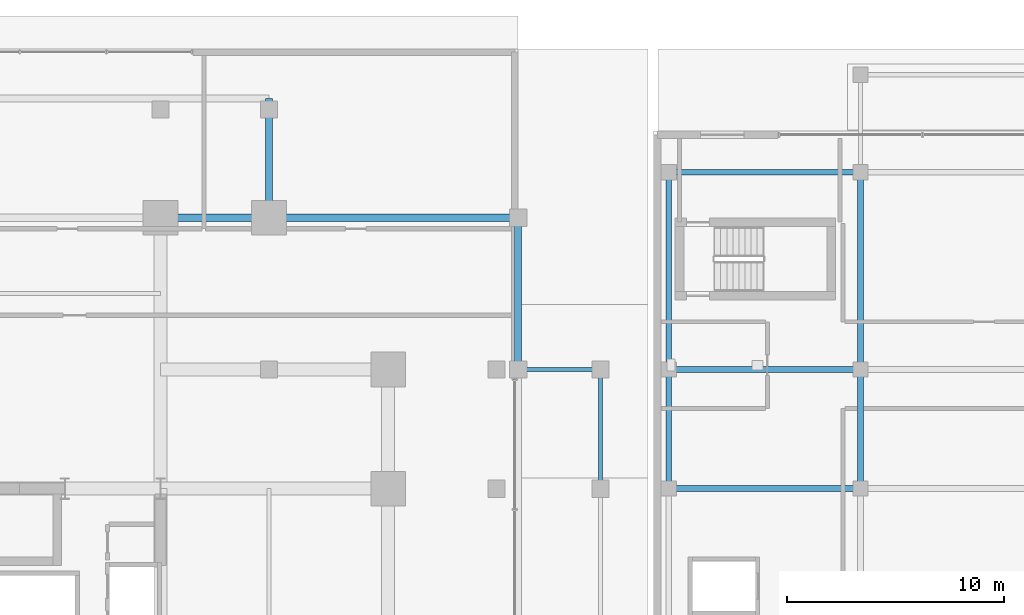
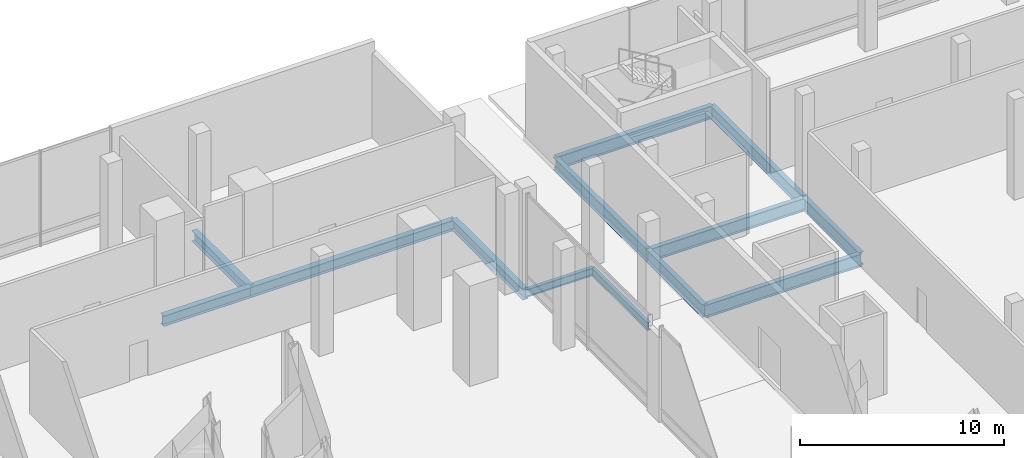
# One storey, part 19 of 34: 13 beams.
"""IFC4 building model written with IfcOpenShell, lengths in metres."""

from ifc_helpers import new_model, si_unit, direction, frame, origin, origin_2d, place, context, subcontext, project, spatial, i_section, extrude, material, material_profile, profile_set, type_object, element, save


model = new_model("IFC4")

# Units and contexts
model_context = context("Model", 3, precision=1e-05, world=origin(), true_north=direction((0.0, 1.0)))
body_context = subcontext(model_context, "Body", "Model", "MODEL_VIEW")
ifc_project = project(units=[si_unit("LENGTHUNIT", "METRE"), si_unit("AREAUNIT", "SQUARE_METRE"), si_unit("VOLUMEUNIT", "CUBIC_METRE"), si_unit("PLANEANGLEUNIT", "RADIAN"), si_unit("MASSUNIT", "GRAM", prefix="KILO")], contexts=[model_context])

# Site, building, storey
site_placement = place(None, origin())
site = spatial("IfcSite", under=ifc_project, at=site_placement, CompositionType="ELEMENT")
building_placement = place(site_placement, origin())
building = spatial("IfcBuilding", under=site, at=building_placement, Name="Barlavira Tower and Art Museum", CompositionType="ELEMENT")
storey_placement = place(building_placement, origin())
storey = spatial("IfcBuildingStorey", under=building, at=storey_placement, Name="L00", CompositionType="ELEMENT", Elevation=0.0)

# Beams
ifc_material = material(Name="Steel S355", Category="steel")
ifc_material_profile_1 = material_profile(ifc_material, i_section(OverallWidth=0.194091796875, OverallDepth=0.468994140625, WebThickness=0.0126953125, FlangeThickness=0.0205078125, at=origin_2d()), Name="W460x106.0")
ifc_profile_set_1 = profile_set([ifc_material_profile_1], Name="Steel S355")
beam_type_1 = type_object("IfcBeamType", Name="Covered Arcade Roof Girder W460x106 Steel S355", PredefinedType="BEAM", material=ifc_profile_set_1)
beam_1_placement = place(storey_placement, frame((23.0, 13.0, -0.58447265625), z_axis=(1.0, 0.0, 0.0), x_axis=(0.0, 1.0, 0.0)))
element("IfcBeam", 1, at=beam_1_placement, inside=storey, type_object=beam_type_1, Name="L00 Arcade West Girder 2", PredefinedType="BEAM", context=body_context, shape_type="SweptSolid", body=[
    extrude(i_section(OverallWidth=0.194091796875, OverallDepth=0.468994140625, WebThickness=0.0126953125, FlangeThickness=0.0205078125, at=origin_2d()), origin(), (0.0, 0.0, 1.0), 3.800048828125),
])
beam_2_placement = place(storey_placement, frame((26.800048828125, 7.5, -0.58447265625), z_axis=(0.0, 1.0, 0.0), x_axis=(-1.0, 0.0, 0.0)))
element("IfcBeam", 2, at=beam_2_placement, inside=storey, type_object=beam_type_1, Name="L00 Arcade Longitudinal Beam 3", PredefinedType="BEAM", context=body_context, shape_type="SweptSolid", body=[
    extrude(i_section(OverallWidth=0.194091796875, OverallDepth=0.468994140625, WebThickness=0.0126953125, FlangeThickness=0.0205078125, at=origin_2d()), origin(), (0.0, 0.0, 1.0), 5.5),
])
ifc_material_profile_2 = material_profile(ifc_material, i_section(OverallWidth=0.26904296875, OverallDepth=0.76806640625, WebThickness=0.016845703125, FlangeThickness=0.026611328125, at=origin_2d()), Name="W760x220.0")
ifc_profile_set_2 = profile_set([ifc_material_profile_2], Name="Steel S355")
beam_type_2 = type_object("IfcBeamType", Name="Museum Long-Span Gallery Girder W760x220 Steel S355", PredefinedType="BEAM", material=ifc_profile_set_2)
beam_3_placement = place(storey_placement, frame((29.949951171875, 7.5, -0.73388671875), z_axis=(0.0, 1.0, 0.0), x_axis=(-1.0, 0.0, 0.0)))
element("IfcBeam", 3, at=beam_3_placement, inside=storey, type_object=beam_type_2, Name="L00 Museum Girder Y 1-4", PredefinedType="BEAM", context=body_context, shape_type="SweptSolid", body=[
    extrude(i_section(OverallWidth=0.26904296875, OverallDepth=0.76806640625, WebThickness=0.016845703125, FlangeThickness=0.026611328125, at=origin_2d()), origin(), (0.0, 0.0, 1.0), 5.5),
])
beam_4_placement = place(storey_placement, frame((29.949951171875, 13.0, -0.73388671875), z_axis=(0.0, 1.0, 0.0), x_axis=(-1.0, 0.0, 0.0)))
element("IfcBeam", 4, at=beam_4_placement, inside=storey, type_object=beam_type_2, Name="L00 Museum Girder Y 1-5", PredefinedType="BEAM", context=body_context, shape_type="SweptSolid", body=[
    extrude(i_section(OverallWidth=0.26904296875, OverallDepth=0.76806640625, WebThickness=0.016845703125, FlangeThickness=0.026611328125, at=origin_2d()), origin(), (0.0, 0.0, 1.0), 9.10009765625),
])
beam_5_placement = place(storey_placement, frame((38.800048828125, 7.5, -0.73388671875), z_axis=(0.0, 1.0, 0.0), x_axis=(-1.0, 0.0, 0.0)))
element("IfcBeam", 5, at=beam_5_placement, inside=storey, type_object=beam_type_2, Name="L00 Museum Girder Y 2-4", PredefinedType="BEAM", context=body_context, shape_type="SweptSolid", body=[
    extrude(i_section(OverallWidth=0.26904296875, OverallDepth=0.76806640625, WebThickness=0.016845703125, FlangeThickness=0.026611328125, at=origin_2d()), origin(), (0.0, 0.0, 1.0), 5.5),
])
beam_6_placement = place(storey_placement, frame((38.800048828125, 13.0, -0.73388671875), z_axis=(0.0, 1.0, 0.0), x_axis=(-1.0, 0.0, 0.0)))
element("IfcBeam", 6, at=beam_6_placement, inside=storey, type_object=beam_type_2, Name="L00 Museum Girder Y 2-5", PredefinedType="BEAM", context=body_context, shape_type="SweptSolid", body=[
    extrude(i_section(OverallWidth=0.26904296875, OverallDepth=0.76806640625, WebThickness=0.016845703125, FlangeThickness=0.026611328125, at=origin_2d()), origin(), (0.0, 0.0, 1.0), 9.10009765625),
])
for number, where, z_axis, x_axis, name in (
    (7, (29.949951171875, 7.5, -0.73388671875), (1.0, 0.0, 0.0), (0.0, 1.0, 0.0), "L00 Museum Girder X 4-1"),
    (8, (29.949951171875, 13.0, -0.73388671875), (1.0, 0.0, 0.0), (0.0, 1.0, 0.0), "L00 Museum Girder X 5-1"),
    (9, (29.949951171875, 22.10009765625, -0.73388671875), (1.0, 0.0, 0.0), (0.0, 1.0, 0.0), "L00 Museum Girder X 6-1"),
):
    element("IfcBeam", number, at=place(storey_placement, frame(where, z_axis=z_axis, x_axis=x_axis)), inside=storey, type_object=beam_type_2, Name=name, PredefinedType="BEAM", context=body_context, shape_type="SweptSolid", body=[
        extrude(i_section(OverallWidth=0.26904296875, OverallDepth=0.76806640625, WebThickness=0.016845703125, FlangeThickness=0.026611328125, at=origin_2d()), origin(), (0.0, 0.0, 1.0), 8.85009765625),
    ])
ifc_material_profile_3 = material_profile(ifc_material, i_section(OverallWidth=0.327880859375, OverallDepth=0.62890625, WebThickness=0.013916015625, FlangeThickness=0.021484375, at=origin_2d()), Name="W610x174.0")
ifc_profile_set_3 = profile_set([ifc_material_profile_3], Name="Steel S355")
beam_type_3 = type_object("IfcBeamType", Name="Perimeter Spandrel Edge Beam W610x174 Steel S355", PredefinedType="SPANDREL", material=ifc_profile_set_3)
beam_7_placement = place(storey_placement, frame((6.5, 20.0, -0.66455078125), z_axis=(1.0, 0.0, 0.0), x_axis=(0.0, 1.0, 0.0)))
element("IfcBeam", 10, at=beam_7_placement, inside=storey, type_object=beam_type_3, Name="L00 Podium Spandrel PN4", PredefinedType="SPANDREL", context=body_context, shape_type="SweptSolid", body=[
    extrude(i_section(OverallWidth=0.327880859375, OverallDepth=0.62890625, WebThickness=0.013916015625, FlangeThickness=0.021484375, at=origin_2d()), origin(), (0.0, 0.0, 1.0), 5.0),
])
beam_8_placement = place(storey_placement, frame((11.5, 20.0, -0.66455078125), z_axis=(1.0, 0.0, 0.0), x_axis=(0.0, 1.0, 0.0)))
element("IfcBeam", 11, at=beam_8_placement, inside=storey, type_object=beam_type_3, Name="L00 Podium Spandrel PN5", PredefinedType="SPANDREL", context=body_context, shape_type="SweptSolid", body=[
    extrude(i_section(OverallWidth=0.327880859375, OverallDepth=0.62890625, WebThickness=0.013916015625, FlangeThickness=0.021484375, at=origin_2d()), origin(), (0.0, 0.0, 1.0), 11.5),
])
beam_9_placement = place(storey_placement, frame((23.0, 13.0, -0.66455078125), z_axis=(0.0, 1.0, 0.0), x_axis=(-1.0, 0.0, 0.0)))
element("IfcBeam", 12, at=beam_9_placement, inside=storey, type_object=beam_type_3, Name="L00 Podium Spandrel PE3", PredefinedType="SPANDREL", context=body_context, shape_type="SweptSolid", body=[
    extrude(i_section(OverallWidth=0.327880859375, OverallDepth=0.62890625, WebThickness=0.013916015625, FlangeThickness=0.021484375, at=origin_2d()), origin(), (0.0, 0.0, 1.0), 7.0),
])
beam_10_placement = place(storey_placement, frame((11.5, 20.0, -0.66455078125), z_axis=(0.0, 1.0, 0.0), x_axis=(-1.0, 0.0, 0.0)))
element("IfcBeam", 13, at=beam_10_placement, inside=storey, type_object=beam_type_3, Name="L00 NE Cascade Spandrel", PredefinedType="SPANDREL", context=body_context, shape_type="SweptSolid", body=[
    extrude(i_section(OverallWidth=0.327880859375, OverallDepth=0.62890625, WebThickness=0.013916015625, FlangeThickness=0.021484375, at=origin_2d()), origin(), (0.0, 0.0, 1.0), 5.5),
])

save(model, "model.ifc")
